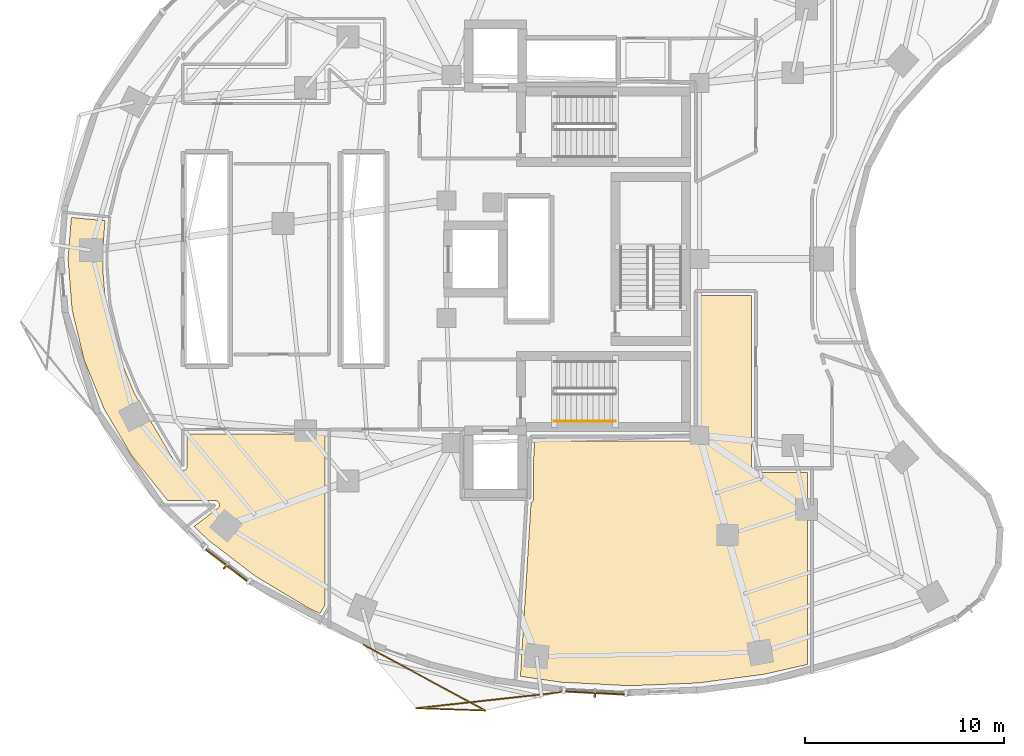
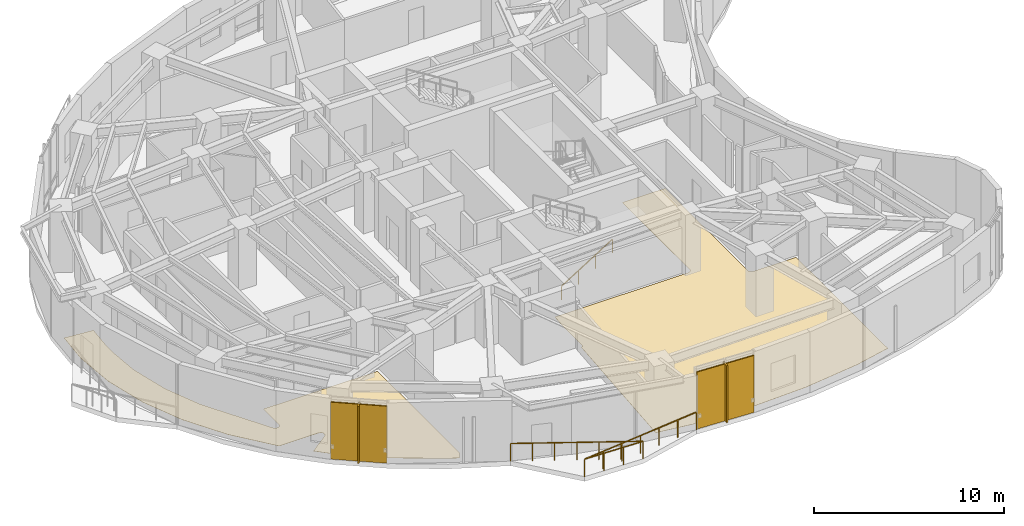
# One storey, part 11 of 13: 4 shading devices, 2 coverings, 2 railings.
"""IFC4 building model written with IfcOpenShell, lengths in metres."""

from ifc_helpers import new_model, si_unit, direction, frame, origin, origin_2d, place, context, subcontext, project, spatial, polyline, rectangle, outline, extrude, material, layer, layer_set, type_object, element, save


model = new_model("IFC4")

# Units and contexts
model_context = context("Model", 3, precision=1e-05, world=origin(), true_north=direction((0.0, 1.0)))
body_context = subcontext(model_context, "Body", "Model", "MODEL_VIEW")
ifc_project = project(units=[si_unit("LENGTHUNIT", "METRE"), si_unit("AREAUNIT", "SQUARE_METRE"), si_unit("VOLUMEUNIT", "CUBIC_METRE"), si_unit("PLANEANGLEUNIT", "RADIAN"), si_unit("MASSUNIT", "GRAM", prefix="KILO")], contexts=[model_context])

# Site, building, storey
site_placement = place(None, origin())
site = spatial("IfcSite", under=ifc_project, at=site_placement, CompositionType="ELEMENT")
building_placement = place(site_placement, origin())
building = spatial("IfcBuilding", under=site, at=building_placement, Name="Korentha Bioscience Tower", CompositionType="ELEMENT")
storey_placement = place(building_placement, frame((0.0, 0.0, 140.39990234375)))
storey = spatial("IfcBuildingStorey", under=building, at=storey_placement, Name="L32", CompositionType="ELEMENT", Elevation=140.39990234375)

# Railings
ifc_material_1 = material(Name="Stainless Steel 304", Category="steel")
railing_type_1 = type_object("IfcRailingType", Name="Brushed Stainless Stair Handrail 900", PredefinedType="HANDRAIL", material=ifc_material_1)
railing_1_placement = place(storey_placement, frame((30.25, 18.85009765625, 0.175048828125)))
element("IfcRailing", 1, at=railing_1_placement, inside=storey, type_object=railing_type_1, Name="L32 ST-2 stair handrail 1", PredefinedType="HANDRAIL", context=body_context, shape_type="SweptSolid", body=[
    extrude(rectangle(XDim=0.048095703125, YDim=0.048095703125, at=origin_2d()), frame((0.0, 0.0, 0.8759765625), z_axis=(0.847998304005, 0.0, 0.529998940003), x_axis=(0.0, 1.0, 0.0)), (0.0, 0.0, 1.0), 3.632080078125),
    extrude(rectangle(XDim=0.0419921875, YDim=0.0419921875, at=origin_2d()), origin(), (0.0, 0.0, 1.0), 0.851806640625),
    extrude(rectangle(XDim=0.0419921875, YDim=0.0419921875, at=origin_2d()), frame((1.026611328125, 0.0, 0.6416015625)), (0.0, 0.0, 1.0), 0.851806640625),
    extrude(rectangle(XDim=0.0419921875, YDim=0.0419921875, at=origin_2d()), frame((2.053466796875, 0.0, 1.283447265625)), (0.0, 0.0, 1.0), 0.851806640625),
    extrude(rectangle(XDim=0.0419921875, YDim=0.0419921875, at=origin_2d()), frame((3.080078125, 0.0, 1.925048828125)), (0.0, 0.0, 1.0), 0.851806640625),
])
ifc_material_2 = material(Name="Laminated Tempered Safety Glass", Category="glass")
railing_type_2 = type_object("IfcRailingType", Name="Laminated Glass Balcony Guardrail 1150", PredefinedType="BALUSTRADE", material=ifc_material_2)
railing_2_placement = place(storey_placement, frame((20.66650390625, 7.62109375, 0.0)))
element("IfcRailing", 2, at=railing_2_placement, inside=storey, type_object=railing_type_2, Name="L32 Balcony Guardrail 03", PredefinedType="BALUSTRADE", context=body_context, shape_type="SweptSolid", body=[
    extrude(rectangle(XDim=0.048095703125, YDim=0.048095703125, at=origin_2d()), frame((0.0, 0.0, 1.1259765625), z_axis=(0.880340587616, -0.474342123151, 0.0), x_axis=(0.474342123151, 0.880340587616, 0.0)), (0.0, 0.0, 1.0), 6.969482421875),
    extrude(rectangle(XDim=0.048095703125, YDim=0.048095703125, at=origin_2d()), frame((6.135498046875, -3.305908203125, 1.1259765625), z_axis=(-0.999404081372, 0.034517852442, 0.0), x_axis=(-0.034517852442, -0.999404081372, 0.0)), (0.0, 0.0, 1.0), 3.479736328125),
    extrude(rectangle(XDim=0.048095703125, YDim=0.048095703125, at=origin_2d()), frame((2.65771484375, -3.185791015625, 1.1259765625), z_axis=(0.993998557505, 0.109393179306, 0.0), x_axis=(-0.109393179306, 0.993998557505, 0.0)), (0.0, 0.0, 1.0), 7.27783203125),
    extrude(rectangle(XDim=0.0419921875, YDim=0.0419921875, at=origin_2d()), origin(), (0.0, 0.0, 1.0), 1.101806640625),
    extrude(rectangle(XDim=0.0419921875, YDim=0.0419921875, at=origin_2d()), frame((1.0224609375, -0.551025390625, 0.0)), (0.0, 0.0, 1.0), 1.101806640625),
    extrude(rectangle(XDim=0.0419921875, YDim=0.0419921875, at=origin_2d()), frame((2.045166015625, -1.10205078125, 0.0)), (0.0, 0.0, 1.0), 1.101806640625),
    extrude(rectangle(XDim=0.0419921875, YDim=0.0419921875, at=origin_2d()), frame((3.06787109375, -1.65283203125, 0.0)), (0.0, 0.0, 1.0), 1.101806640625),
    extrude(rectangle(XDim=0.0419921875, YDim=0.0419921875, at=origin_2d()), frame((4.09033203125, -2.203857421875, 0.0)), (0.0, 0.0, 1.0), 1.101806640625),
    extrude(rectangle(XDim=0.0419921875, YDim=0.0419921875, at=origin_2d()), frame((5.11279296875, -2.7548828125, 0.0)), (0.0, 0.0, 1.0), 1.101806640625),
    extrude(rectangle(XDim=0.0419921875, YDim=0.0419921875, at=origin_2d()), frame((6.135498046875, -3.305908203125, 0.0)), (0.0, 0.0, 1.0), 1.101806640625),
    extrude(rectangle(XDim=0.0419921875, YDim=0.0419921875, at=origin_2d()), frame((4.976318359375, -3.265869140625, 0.0)), (0.0, 0.0, 1.0), 1.101806640625),
    extrude(rectangle(XDim=0.0419921875, YDim=0.0419921875, at=origin_2d()), frame((3.81689453125, -3.225830078125, 0.0)), (0.0, 0.0, 1.0), 1.101806640625),
    extrude(rectangle(XDim=0.0419921875, YDim=0.0419921875, at=origin_2d()), frame((2.65771484375, -3.185791015625, 0.0)), (0.0, 0.0, 1.0), 1.101806640625),
    extrude(rectangle(XDim=0.0419921875, YDim=0.0419921875, at=origin_2d()), frame((3.86328125, -3.05322265625, 0.0)), (0.0, 0.0, 1.0), 1.101806640625),
    extrude(rectangle(XDim=0.0419921875, YDim=0.0419921875, at=origin_2d()), frame((5.069091796875, -2.92041015625, 0.0)), (0.0, 0.0, 1.0), 1.101806640625),
    extrude(rectangle(XDim=0.0419921875, YDim=0.0419921875, at=origin_2d()), frame((6.27490234375, -2.78759765625, 0.0)), (0.0, 0.0, 1.0), 1.101806640625),
    extrude(rectangle(XDim=0.0419921875, YDim=0.0419921875, at=origin_2d()), frame((7.48046875, -2.655029296875, 0.0)), (0.0, 0.0, 1.0), 1.101806640625),
    extrude(rectangle(XDim=0.0419921875, YDim=0.0419921875, at=origin_2d()), frame((8.68603515625, -2.5224609375, 0.0)), (0.0, 0.0, 1.0), 1.101806640625),
    extrude(rectangle(XDim=0.0419921875, YDim=0.0419921875, at=origin_2d()), frame((9.891845703125, -2.3896484375, 0.0)), (0.0, 0.0, 1.0), 1.101806640625),
])

# Shading devices
ifc_material_3 = material(Name="Perforated Stone-Ceramic Composite", Category="masonry")
ifc_layer_1 = layer(ifc_material_3, 0.06494140625, Name="Perforated Stone-Ceramic Composite")
ifc_layer_set_1 = layer_set([ifc_layer_1], Name="Perforated Stone-Ceramic Composite (CS-01)")
shading_device_type_1 = type_object("IfcShadingDeviceType", Name="Perforated Stone-Ceramic Solar Screen Panel 65", PredefinedType="USERDEFINED", material=ifc_layer_set_1)
shading_device_1_placement = place(storey_placement, frame((13.7841796875, 11.616455078125, 0.000244140625), z_axis=(0.0, 0.0, 1.0), x_axis=(0.794499603893, -0.607264669986, 0.0)))
element("IfcShadingDevice", 3, at=shading_device_1_placement, inside=storey, type_object=shading_device_type_1, Name="CW-L32-25 Perforated Stone-Ceramic Solar Screen", ObjectType="SCREEN", PredefinedType="USERDEFINED", context=body_context, shape_type="SweptSolid", body=[
    extrude(rectangle(XDim=2.98291015625, YDim=0.06494140625, at=origin_2d()), origin(), (0.0, 0.0, 1.0), 3.64990234375),
])
shading_device_2_placement = place(storey_placement, frame((32.2958984375, 5.201904296875, 0.000244140625), z_axis=(0.0, 0.0, 1.0), x_axis=(0.998673231344, -0.051495407527, 0.0)))
element("IfcShadingDevice", 4, at=shading_device_2_placement, inside=storey, type_object=shading_device_type_1, Name="CW-L32-31 Perforated Stone-Ceramic Solar Screen", ObjectType="SCREEN", PredefinedType="USERDEFINED", context=body_context, shape_type="SweptSolid", body=[
    extrude(rectangle(XDim=3.373779296875, YDim=0.06494140625, at=origin_2d()), origin(), (0.0, 0.0, 1.0), 3.64990234375),
])

# Coverings
ifc_material_4 = material(Name="Chemical-Resistant Epoxy Resin", Category="polymer")
ifc_layer_2 = layer(ifc_material_4, 0.011962890625, Name="Chemical-Resistant Epoxy Resin")
ifc_layer_set_2 = layer_set([ifc_layer_2], Name="Chemical-Resistant Epoxy Resin (FL-EPX)")
covering_type = type_object("IfcCoveringType", Name="Seamless Epoxy Laboratory Flooring 12", PredefinedType="FLOORING", material=ifc_layer_set_2)
covering_1_placement = place(storey_placement, origin())
element("IfcCovering", 5, at=covering_1_placement, inside=storey, type_object=covering_type, Name="L32 Research Colloquium Seminar Room 02 Floor Finish", PredefinedType="FLOORING", context=body_context, shape_type="SweptSolid", body=[
    extrude(outline(polyline([(5.99169921875, 29.09228515625), (7.683837890625, 28.926513671875), (7.5703125, 27.492431640625), (7.570068359375, 26.51708984375), (7.710693359375, 24.7333984375), (8.254150390625, 22.46142578125), (9.162109375, 20.23828125), (11.3818359375, 16.47509765625), (11.431396484375, 16.416259765625), (11.531005859375, 16.3671875), (11.6611328125, 16.376708984375), (11.75244140625, 16.43994140625), (11.803466796875, 16.53759765625), (11.81005859375, 18.219970703125), (18.72802734375, 18.219970703125), (18.72802734375, 9.602294921875), (18.480712890625, 9.197021484375), (17.93896484375, 9.4482421875), (15.25927734375, 11.05517578125), (12.857177734375, 12.89111328125), (12.157958984375, 13.572509765625), (13.372802734375, 14.491455078125), (13.421142578125, 14.56591796875), (13.4365234375, 14.6533203125), (13.4169921875, 14.739990234375), (13.34814453125, 14.826416015625), (13.212646484375, 14.8720703125), (10.824951171875, 14.8720703125), (9.018310546875, 17.1357421875), (7.634521484375, 19.48095703125), (6.63330078125, 21.9296875), (6.0283203125, 24.44775390625), (5.82568359375, 27.0), (5.99169921875, 29.09228515625)])), origin(), (0.0, 0.0, 1.0), 0.01220703125),
])
covering_2_placement = place(storey_placement, origin())
element("IfcCovering", 6, at=covering_2_placement, inside=storey, type_object=covering_type, Name="L32 Biospecimen Archive Store 04 Floor Finish", PredefinedType="FLOORING", context=body_context, shape_type="SweptSolid", body=[
    extrude(outline(polyline([(28.553955078125, 6.0361328125), (29.0869140625, 14.74951171875), (29.176025390625, 14.82080078125), (29.219482421875, 14.9404296875), (29.219970703125, 17.024658203125), (29.271728515625, 17.8701171875), (37.35009765625, 17.8701171875), (37.427978515625, 17.883544921875), (37.5048828125, 17.929931640625), (37.55810546875, 18.002197265625), (37.580078125, 18.10009765625), (37.580078125, 25.169921875), (40.169921875, 25.169921875), (40.169921875, 16.5), (40.183349609375, 16.423095703125), (40.2626953125, 16.315673828125), (40.38818359375, 16.270263671875), (42.97802734375, 16.27001953125), (42.97802734375, 6.63623046875), (40.835205078125, 6.14599609375), (37.45654296875, 5.699462890625), (34.03076171875, 5.563232421875), (30.608154296875, 5.739501953125), (28.553955078125, 6.0361328125)])), origin(), (0.0, 0.0, 1.0), 0.01220703125),
])

# Shading devices
ifc_material_5 = material(Name="Honed Travertine Limestone", Category="masonry")
ifc_layer_3 = layer(ifc_material_5, 0.080078125, Name="Honed Travertine Limestone")
ifc_layer_set_3 = layer_set([ifc_layer_3], Name="Honed Travertine Limestone (CS-02)")
shading_device_type_2 = type_object("IfcShadingDeviceType", Name="Vertical Honed Limestone Sunshade Fin 80x420", PredefinedType="USERDEFINED", material=ifc_layer_set_3)
for number, where, z_axis, x_axis, name in (
    (7, (13.77197265625, 11.600341796875, 0.000244140625), (0.0, 0.0, 1.0), (0.794499603893, -0.607264669986, 0.0), "CW-L32-25 Limestone Sunshade Fin"),
    (8, (32.294921875, 5.18212890625, 0.000244140625), (0.0, 0.0, 1.0), (0.998673231344, -0.051495407527, 0.0), "CW-L32-31 Limestone Sunshade Fin"),
):
    element("IfcShadingDevice", number, at=place(storey_placement, frame(where, z_axis=z_axis, x_axis=x_axis)), inside=storey, type_object=shading_device_type_2, Name=name, ObjectType="SCREEN", PredefinedType="USERDEFINED", context=body_context, shape_type="SweptSolid", body=[
        extrude(rectangle(XDim=0.080078125, YDim=0.419921875, at=origin_2d()), origin(), (0.0, 0.0, 1.0), 3.64990234375),
    ])

save(model, "model.ifc")
